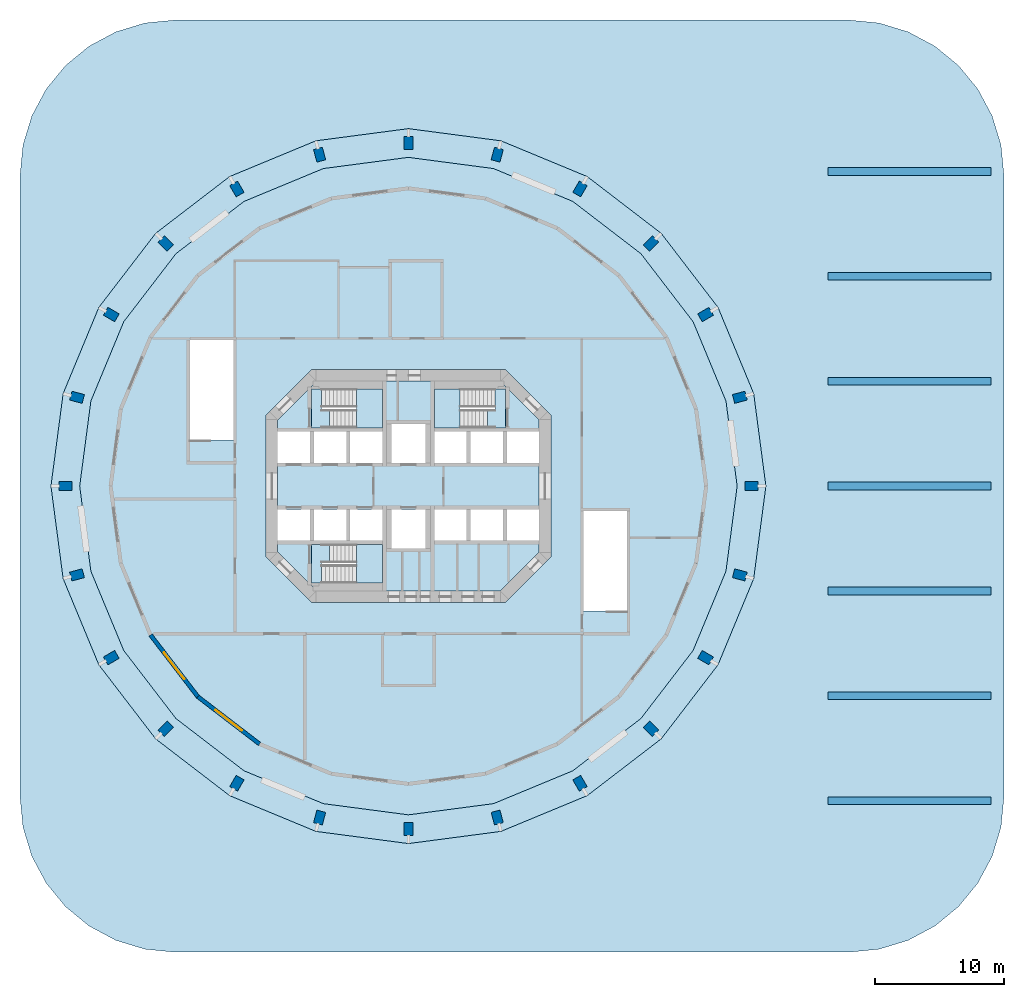
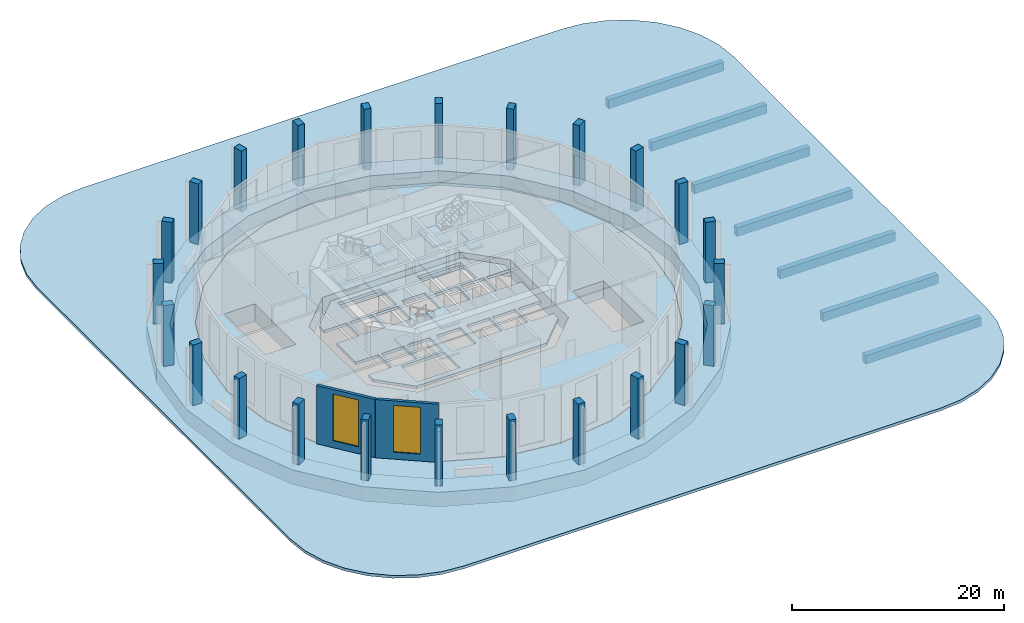
# One storey, part 1 of 7: 24 columns, 13 slabs, 7 beams, 2 walls, 2 windows, 2 openings, 3 elements without a shape of their own.
"""IFC4 building model written with IfcOpenShell, lengths in metres."""

from ifc_helpers import new_model, si_unit, direction, frame, frame_2d, origin, origin_2d, place, context, subcontext, project, spatial, polyline, rectangle, outline, extrude, material, layer, layer_set, material_profile, profile_set, type_object, element, fill, aggregate, save


model = new_model("IFC4")

# Units and contexts
model_context = context("Model", 3, precision=1e-05, world=origin(), true_north=direction((0.0, 1.0)))
body_context = subcontext(model_context, "Body", "Model", "MODEL_VIEW")
ifc_project = project(units=[si_unit("LENGTHUNIT", "METRE"), si_unit("AREAUNIT", "SQUARE_METRE"), si_unit("VOLUMEUNIT", "CUBIC_METRE"), si_unit("PLANEANGLEUNIT", "RADIAN"), si_unit("MASSUNIT", "GRAM", prefix="KILO")], contexts=[model_context])

# Site, building, storey
site_placement = place(None, origin())
site = spatial("IfcSite", under=ifc_project, at=site_placement, CompositionType="ELEMENT")
building_placement = place(site_placement, origin())
building = spatial("IfcBuilding", under=site, at=building_placement, Name="Torre Triforio", CompositionType="ELEMENT")
storey_placement = place(building_placement, frame((0.0, 0.0, 20.0)))
storey = spatial("IfcBuildingStorey", under=building, at=storey_placement, Name="L03", CompositionType="ELEMENT", Elevation=20.0)

# Columns
ifc_material_1 = material(Name="Concrete C70", Category="concrete")
ifc_material_profile_1 = material_profile(ifc_material_1, rectangle(XDim=0.699951171875, YDim=1.0, at=origin_2d()), Name="RC 700x1000")
ifc_profile_set_1 = profile_set([ifc_material_profile_1], Name="Concrete C70")
column_type = type_object("IfcColumnType", Name="Pier RC 700x1000 C70", PredefinedType="COLUMN", material=ifc_profile_set_1)
for number, where, z_axis, x_axis, name in (
    (1, (26.5, 0.0, -0.320068359375), (0.0, 0.0, 1.0), (0.0, 1.0, 0.0), "COL.R.L03.00"),
    (2, (25.596923828125, 6.858642578125, -0.320068359375), (0.0, 0.0, 1.0), (-0.258819045103, 0.965925826289, 0.0), "COL.R.L03.01"),
    (3, (22.94970703125, 13.25, -0.320068359375), (0.0, 0.0, 1.0), (-0.5, 0.866025403784, 0.0), "COL.R.L03.02"),
    (4, (18.73828125, 18.73828125, -0.320068359375), (0.0, 0.0, 1.0), (-0.707106781187, 0.707106781187, 0.0), "COL.R.L03.03"),
    (5, (13.25, 22.94970703125, -0.320068359375), (0.0, 0.0, 1.0), (-0.866025403784, 0.5, 0.0), "COL.R.L03.04"),
    (6, (6.858642578125, 25.596923828125, -0.320068359375), (0.0, 0.0, 1.0), (-0.965925826289, 0.258819045103, 0.0), "COL.R.L03.05"),
    (7, (0.0, 26.5, -0.320068359375), (0.0, 0.0, 1.0), (-1.0, 0.0, 0.0), "COL.R.L03.06"),
    (8, (-6.858642578125, 25.596923828125, -0.320068359375), (0.0, 0.0, 1.0), (-0.965925826289, -0.258819045103, 0.0), "COL.R.L03.07"),
    (9, (-13.25, 22.94970703125, -0.320068359375), (0.0, 0.0, 1.0), (-0.866025403784, -0.5, 0.0), "COL.R.L03.08"),
    (10, (-18.73828125, 18.73828125, -0.320068359375), (0.0, 0.0, 1.0), (-0.707106781187, -0.707106781187, 0.0), "COL.R.L03.09"),
    (11, (-22.94970703125, 13.25, -0.320068359375), (0.0, 0.0, 1.0), (-0.5, -0.866025403784, 0.0), "COL.R.L03.10"),
    (12, (-25.596923828125, 6.858642578125, -0.320068359375), (0.0, 0.0, 1.0), (-0.258819045103, -0.965925826289, 0.0), "COL.R.L03.11"),
    (13, (-26.5, 0.0, -0.320068359375), (0.0, 0.0, 1.0), (0.0, -1.0, 0.0), "COL.R.L03.12"),
    (14, (-25.596923828125, -6.858642578125, -0.320068359375), (0.0, 0.0, 1.0), (0.258819045103, -0.965925826289, 0.0), "COL.R.L03.13"),
    (15, (-22.94970703125, -13.25, -0.320068359375), (0.0, 0.0, 1.0), (0.5, -0.866025403784, 0.0), "COL.R.L03.14"),
    (16, (-18.73828125, -18.73828125, -0.320068359375), (0.0, 0.0, 1.0), (0.707106781187, -0.707106781187, 0.0), "COL.R.L03.15"),
    (17, (-13.25, -22.94970703125, -0.320068359375), (0.0, 0.0, 1.0), (0.866025403784, -0.5, 0.0), "COL.R.L03.16"),
    (18, (-6.858642578125, -25.596923828125, -0.320068359375), (0.0, 0.0, 1.0), (0.965925826289, -0.258819045103, 0.0), "COL.R.L03.17"),
    (19, (0.0, -26.5, -0.320068359375), (0.0, 0.0, 1.0), (1.0, 0.0, 0.0), "COL.R.L03.18"),
    (20, (6.858642578125, -25.596923828125, -0.320068359375), (0.0, 0.0, 1.0), (0.965925826289, 0.258819045103, 0.0), "COL.R.L03.19"),
    (21, (13.25, -22.94970703125, -0.320068359375), (0.0, 0.0, 1.0), (0.866025403784, 0.5, 0.0), "COL.R.L03.20"),
    (22, (18.73828125, -18.73828125, -0.320068359375), (0.0, 0.0, 1.0), (0.707106781187, 0.707106781187, 0.0), "COL.R.L03.21"),
    (23, (22.94970703125, -13.25, -0.320068359375), (0.0, 0.0, 1.0), (0.5, 0.866025403784, 0.0), "COL.R.L03.22"),
    (24, (25.596923828125, -6.858642578125, -0.320068359375), (0.0, 0.0, 1.0), (0.258819045103, 0.965925826289, 0.0), "COL.R.L03.23"),
):
    element("IfcColumn", number, at=place(storey_placement, frame(where, z_axis=z_axis, x_axis=x_axis)), inside=storey, type_object=column_type, Name=name, PredefinedType="COLUMN", context=body_context, shape_type="SweptSolid", body=[
        extrude(rectangle(XDim=0.699951171875, YDim=1.0, at=origin_2d()), origin(), (0.0, 0.0, 1.0), 7.320068359375),
    ])

# Beams
ifc_material_2 = material(Name="Concrete C50", Category="concrete")
ifc_material_profile_2 = material_profile(ifc_material_2, rectangle(XDim=0.60009765625, YDim=1.0, at=origin_2d()), Name="RC 600x1000")
ifc_profile_set_2 = profile_set([ifc_material_profile_2], Name="Concrete C50")
beam_type = type_object("IfcBeamType", Name="Studio roof girder RC 600x1000 C50", PredefinedType="BEAM", material=ifc_profile_set_2)
for number, where, z_axis, x_axis, name in (
    (25, (32.39990234375, -24.300048828125, -0.820068359375), (1.0, 0.0, 0.0), (0.0, 1.0, 0.0), "BM.SG.L03.01"),
    (26, (32.39990234375, -16.199951171875, -0.820068359375), (1.0, 0.0, 0.0), (0.0, 1.0, 0.0), "BM.SG.L03.02"),
    (27, (32.39990234375, -8.10009765625, -0.820068359375), (1.0, 0.0, 0.0), (0.0, 1.0, 0.0), "BM.SG.L03.03"),
    (28, (32.39990234375, 0.0, -0.820068359375), (1.0, 0.0, 0.0), (0.0, 1.0, 0.0), "BM.SG.L03.04"),
    (29, (32.39990234375, 8.10009765625, -0.820068359375), (1.0, 0.0, 0.0), (0.0, 1.0, 0.0), "BM.SG.L03.05"),
    (30, (32.39990234375, 16.199951171875, -0.820068359375), (1.0, 0.0, 0.0), (0.0, 1.0, 0.0), "BM.SG.L03.06"),
    (31, (32.39990234375, 24.300048828125, -0.820068359375), (1.0, 0.0, 0.0), (0.0, 1.0, 0.0), "BM.SG.L03.07"),
):
    element("IfcBeam", number, at=place(storey_placement, frame(where, z_axis=z_axis, x_axis=x_axis)), inside=storey, type_object=beam_type, Name=name, PredefinedType="BEAM", context=body_context, shape_type="SweptSolid", body=[
        extrude(rectangle(XDim=0.60009765625, YDim=1.0, at=origin_2d()), origin(), (0.0, 0.0, 1.0), 12.60009765625),
    ])

# Slab
ifc_material_3 = material(Name="Concrete C60", Category="concrete")
ifc_layer_1 = layer(ifc_material_3, 0.320068359375)
ifc_layer_set_1 = layer_set([ifc_layer_1], Name="Concrete C60")
slab_type_1 = type_object("IfcSlabType", Name="Core floor slab 320 mm C60 REI 120", PredefinedType="FLOOR", material=ifc_layer_set_1)
slab_1_placement = place(storey_placement, frame((0.0, 0.0, -0.320068359375)))
element("IfcSlab", 32, at=slab_1_placement, inside=storey, type_object=slab_type_1, Name="Core floor slab", PredefinedType="FLOOR", context=body_context, shape_type="SweptSolid", body=[
    extrude(outline(polyline([(10.10009765625, -5.10009765625), (7.10009765625, -8.10009765625), (-7.10009765625, -8.10009765625), (-10.10009765625, -5.10009765625), (-10.10009765625, -4.199951171875), (-7.60009765625, -4.199951171875), (-7.60009765625, -1.800048828125), (-10.10009765625, -1.800048828125), (-10.10009765625, 1.800048828125), (-7.60009765625, 1.800048828125), (-7.60009765625, 4.199951171875), (-10.10009765625, 4.199951171875), (-10.10009765625, 5.10009765625), (-7.10009765625, 8.10009765625), (7.10009765625, 8.10009765625), (10.10009765625, 5.10009765625), (10.10009765625, 4.199951171875), (7.60009765625, 4.199951171875), (7.60009765625, 1.800048828125), (10.10009765625, 1.800048828125), (10.10009765625, -1.800048828125), (7.60009765625, -1.800048828125), (7.60009765625, -4.199951171875), (10.10009765625, -4.199951171875), (10.10009765625, -5.10009765625)]), holes=[polyline([(-2.0, -4.5), (-6.696044921875, -4.5), (-6.696044921875, -7.5), (-2.0, -7.5), (-2.0, -4.5)]), polyline([(-4.800048828125, -1.800048828125), (-7.300048828125, -1.800048828125), (-7.300048828125, -4.199951171875), (-4.800048828125, -4.199951171875), (-4.800048828125, -1.800048828125)]), polyline([(-2.0, -1.800048828125), (-4.5, -1.800048828125), (-4.5, -4.199951171875), (-2.0, -4.199951171875), (-2.0, -1.800048828125)]), polyline([(-4.800048828125, 4.199951171875), (-7.300048828125, 4.199951171875), (-7.300048828125, 1.800048828125), (-4.800048828125, 1.800048828125), (-4.800048828125, 4.199951171875)]), polyline([(-2.0, 4.199951171875), (-4.5, 4.199951171875), (-4.5, 1.800048828125), (-2.0, 1.800048828125), (-2.0, 4.199951171875)]), polyline([(1.300048828125, 4.800048828125), (-1.300048828125, 4.800048828125), (-1.300048828125, 1.800048828125), (1.300048828125, 1.800048828125), (1.300048828125, 4.800048828125)]), polyline([(-2.0, 7.5), (-6.696044921875, 7.5), (-6.696044921875, 4.5), (-2.0, 4.5), (-2.0, 7.5)]), polyline([(1.300048828125, -1.800048828125), (-1.300048828125, -1.800048828125), (-1.300048828125, -4.800048828125), (1.300048828125, -4.800048828125), (1.300048828125, -1.800048828125)]), polyline([(4.5, -1.800048828125), (2.0, -1.800048828125), (2.0, -4.199951171875), (4.5, -4.199951171875), (4.5, -1.800048828125)]), polyline([(7.300048828125, -1.800048828125), (4.800048828125, -1.800048828125), (4.800048828125, -4.199951171875), (7.300048828125, -4.199951171875), (7.300048828125, -1.800048828125)]), polyline([(4.5, 4.199951171875), (2.0, 4.199951171875), (2.0, 1.800048828125), (4.5, 1.800048828125), (4.5, 4.199951171875)]), polyline([(7.300048828125, 4.199951171875), (4.800048828125, 4.199951171875), (4.800048828125, 1.800048828125), (7.300048828125, 1.800048828125), (7.300048828125, 4.199951171875)]), polyline([(6.696044921875, 4.5), (6.696044921875, 7.5), (2.0, 7.5), (2.0, 4.5), (6.696044921875, 4.5)])]), origin(), (0.0, 0.0, 1.0), 0.320068359375),
])

# Stair, slabs
ifc_material_4 = material(Name="Concrete C40", Category="concrete")
stair_type = type_object("IfcStairType", Name="STAIR DOUBLE RETURN", PredefinedType="DOUBLE_RETURN_STAIR", material=ifc_material_4)
stair_1_placement = place(storey_placement, origin())
stair_1 = element("IfcStair", 33, at=stair_1_placement, inside=storey, type_object=stair_type, Name="Exit stair 1", PredefinedType="DOUBLE_RETURN_STAIR")
ifc_layer_2 = layer(ifc_material_4, 0.199951171875)
ifc_layer_set_2 = layer_set([ifc_layer_2], Name="Concrete C40")
slab_type_2 = type_object("IfcSlabType", Name="STAIR LANDING 200", PredefinedType="LANDING", material=ifc_layer_set_2)
slab_2_placement = place(storey_placement, frame((0.0, 0.0, 1.550048828125)))
slab_2 = element("IfcSlab", 34, at=slab_2_placement, type_object=slab_type_2, Name="ST1 landing 1", PredefinedType="LANDING", context=body_context, shape_type="SweptSolid", body=[
    extrude(outline(polyline([(-2.0, 4.5), (-2.0, 7.5), (-4.0, 7.5), (-4.0, 4.5), (-2.0, 4.5)])), origin(), (0.0, 0.0, 1.0), 0.199951171875),
])
slab_3_placement = place(storey_placement, frame((0.0, 0.0, 3.300048828125)))
slab_3 = element("IfcSlab", 35, at=slab_3_placement, type_object=slab_type_2, Name="ST1 landing 2", PredefinedType="LANDING", context=body_context, shape_type="SweptSolid", body=[
    extrude(outline(polyline([(-6.10009765625, 5.89990234375), (-6.10009765625, 4.5), (-6.696044921875, 4.5), (-6.699951171875, 4.5), (-7.5, 4.5), (-7.5, 7.5), (-6.696044921875, 7.5), (-6.696044921875, 5.89990234375), (-6.10009765625, 5.89990234375)])), origin(), (0.0, 0.0, 1.0), 0.199951171875),
])
slab_4_placement = place(storey_placement, frame((0.0, 0.0, 5.050048828125)))
slab_4 = element("IfcSlab", 36, at=slab_4_placement, type_object=slab_type_2, Name="ST1 landing 3", PredefinedType="LANDING", context=body_context, shape_type="SweptSolid", body=[
    extrude(outline(polyline([(-2.0, 4.5), (-2.0, 7.5), (-4.0, 7.5), (-4.0, 4.5), (-2.0, 4.5)])), origin(), (0.0, 0.0, 1.0), 0.199951171875),
])
aggregate(stair_1, [slab_2, slab_3, slab_4])

stair_2_placement = place(storey_placement, origin())
stair_2 = element("IfcStair", 37, at=stair_2_placement, inside=storey, type_object=stair_type, Name="Exit stair 2", PredefinedType="DOUBLE_RETURN_STAIR")
slab_5_placement = place(storey_placement, frame((0.0, 0.0, 1.550048828125)))
slab_5 = element("IfcSlab", 38, at=slab_5_placement, type_object=slab_type_2, Name="ST2 landing 1", PredefinedType="LANDING", context=body_context, shape_type="SweptSolid", body=[
    extrude(outline(polyline([(4.0, 4.5), (4.0, 7.5), (2.0, 7.5), (2.0, 4.5), (4.0, 4.5)])), origin(), (0.0, 0.0, 1.0), 0.199951171875),
])
slab_6_placement = place(storey_placement, frame((0.0, 0.0, 3.300048828125)))
slab_6 = element("IfcSlab", 39, at=slab_6_placement, type_object=slab_type_2, Name="ST2 landing 2", PredefinedType="LANDING", context=body_context, shape_type="SweptSolid", body=[
    extrude(outline(polyline([(6.10009765625, 4.5), (6.10009765625, 5.89990234375), (6.696044921875, 5.89990234375), (6.696044921875, 7.5), (7.5, 7.5), (7.5, 4.5), (6.699951171875, 4.5), (6.696044921875, 4.5), (6.10009765625, 4.5)])), origin(), (0.0, 0.0, 1.0), 0.199951171875),
])
slab_7_placement = place(storey_placement, frame((0.0, 0.0, 5.050048828125)))
slab_7 = element("IfcSlab", 40, at=slab_7_placement, type_object=slab_type_2, Name="ST2 landing 3", PredefinedType="LANDING", context=body_context, shape_type="SweptSolid", body=[
    extrude(outline(polyline([(4.0, 4.5), (4.0, 7.5), (2.0, 7.5), (2.0, 4.5), (4.0, 4.5)])), origin(), (0.0, 0.0, 1.0), 0.199951171875),
])
aggregate(stair_2, [slab_5, slab_6, slab_7])

stair_3_placement = place(storey_placement, origin())
stair_3 = element("IfcStair", 41, at=stair_3_placement, inside=storey, type_object=stair_type, Name="Exit stair 3", PredefinedType="DOUBLE_RETURN_STAIR")
slab_8_placement = place(storey_placement, frame((0.0, 0.0, 1.550048828125)))
slab_8 = element("IfcSlab", 42, at=slab_8_placement, type_object=slab_type_2, Name="ST3 landing 1", PredefinedType="LANDING", context=body_context, shape_type="SweptSolid", body=[
    extrude(outline(polyline([(-2.0, -7.5), (-2.0, -4.5), (-4.0, -4.5), (-4.0, -7.5), (-2.0, -7.5)])), origin(), (0.0, 0.0, 1.0), 0.199951171875),
])
slab_9_placement = place(storey_placement, frame((0.0, 0.0, 3.300048828125)))
slab_9 = element("IfcSlab", 43, at=slab_9_placement, type_object=slab_type_2, Name="ST3 landing 2", PredefinedType="LANDING", context=body_context, shape_type="SweptSolid", body=[
    extrude(outline(polyline([(-6.696044921875, -7.5), (-7.5, -7.5), (-7.5, -4.5), (-6.699951171875, -4.5), (-6.696044921875, -4.5), (-6.10009765625, -4.5), (-6.10009765625, -5.89990234375), (-6.696044921875, -5.89990234375), (-6.696044921875, -7.5)])), origin(), (0.0, 0.0, 1.0), 0.199951171875),
])
slab_10_placement = place(storey_placement, frame((0.0, 0.0, 5.050048828125)))
slab_10 = element("IfcSlab", 44, at=slab_10_placement, type_object=slab_type_2, Name="ST3 landing 3", PredefinedType="LANDING", context=body_context, shape_type="SweptSolid", body=[
    extrude(outline(polyline([(-2.0, -7.5), (-2.0, -4.5), (-4.0, -4.5), (-4.0, -7.5), (-2.0, -7.5)])), origin(), (0.0, 0.0, 1.0), 0.199951171875),
])
aggregate(stair_3, [slab_8, slab_9, slab_10])

# Slabs
ifc_layer_3 = layer(ifc_material_2, 0.320068359375)
ifc_layer_set_3 = layer_set([ifc_layer_3], Name="Concrete C50")
slab_type_3 = type_object("IfcSlabType", Name="Terrace slab 320 C50", PredefinedType="FLOOR", material=ifc_layer_set_3)
slab_11_placement = place(storey_placement, frame((0.0, 0.0, -0.320068359375)))
element("IfcSlab", 45, at=slab_11_placement, inside=storey, type_object=slab_type_3, Name="SL.T3", PredefinedType="FLOOR", context=body_context, shape_type="SweptSolid", body=[
    extrude(outline(polyline([(-22.59228515625, -35.086669921875), (-20.341064453125, -35.76953125), (-18.0, -36.0), (34.0, -36.0), (36.341064453125, -35.76953125), (38.59228515625, -35.086669921875), (40.666748046875, -33.9775390625), (42.4853515625, -32.4853515625), (43.9775390625, -30.666748046875), (45.086669921875, -28.59228515625), (45.76953125, -26.341064453125), (46.0, -24.0), (46.0, 24.0), (45.76953125, 26.341064453125), (45.086669921875, 28.59228515625), (43.9775390625, 30.666748046875), (42.4853515625, 32.4853515625), (40.666748046875, 33.9775390625), (38.59228515625, 35.086669921875), (36.341064453125, 35.76953125), (34.0, 36.0), (-18.0, 36.0), (-20.341064453125, 35.76953125), (-22.59228515625, 35.086669921875), (-24.666748046875, 33.9775390625), (-26.4853515625, 32.4853515625), (-27.9775390625, 30.666748046875), (-29.086669921875, 28.59228515625), (-29.76953125, 26.341064453125), (-30.0, 24.0), (-30.0, -24.0), (-29.76953125, -26.341064453125), (-29.086669921875, -28.59228515625), (-27.9775390625, -30.666748046875), (-26.4853515625, -32.4853515625), (-24.666748046875, -33.9775390625), (-22.59228515625, -35.086669921875)]), holes=[polyline([(16.263427734375, 16.263427734375), (19.918701171875, 11.5), (22.21630859375, 5.952880859375), (23.0, 0.0), (22.21630859375, -5.952880859375), (19.918701171875, -11.5), (16.263427734375, -16.263427734375), (11.5, -19.918701171875), (5.952880859375, -22.21630859375), (0.0, -23.0), (-5.952880859375, -22.21630859375), (-11.5, -19.918701171875), (-16.263427734375, -16.263427734375), (-19.918701171875, -11.5), (-22.21630859375, -5.952880859375), (-23.0, 0.0), (-22.21630859375, 5.952880859375), (-19.918701171875, 11.5), (-16.263427734375, 16.263427734375), (-11.5, 19.918701171875), (-5.952880859375, 22.21630859375), (0.0, 23.0), (5.952880859375, 22.21630859375), (11.5, 19.918701171875), (16.263427734375, 16.263427734375)]), polyline([(-6.39111328125, -25.20458984375), (-6.650146484375, -26.170654296875), (-7.326171875, -25.989501953125), (-7.0673828125, -25.0234375), (-6.39111328125, -25.20458984375)]), polyline([(-13.19677734375, -23.5576171875), (-13.80322265625, -23.207763671875), (-13.30322265625, -22.341552734375), (-12.69677734375, -22.691650390625), (-13.19677734375, -23.5576171875)]), polyline([(-18.844482421875, -19.33935546875), (-19.33935546875, -18.844482421875), (-18.63232421875, -18.13720703125), (-18.13720703125, -18.63232421875), (-18.844482421875, -19.33935546875)]), polyline([(-22.341552734375, -13.30322265625), (-23.207763671875, -13.80322265625), (-23.5576171875, -13.19677734375), (-22.691650390625, -12.69677734375), (-22.341552734375, -13.30322265625)]), polyline([(-25.989501953125, -7.326171875), (-26.170654296875, -6.650146484375), (-25.20458984375, -6.39111328125), (-25.0234375, -7.0673828125), (-25.989501953125, -7.326171875)]), polyline([(-27.0, -0.35009765625), (-27.0, 0.35009765625), (-26.0, 0.35009765625), (-26.0, -0.35009765625), (-27.0, -0.35009765625)]), polyline([(-25.20458984375, 6.39111328125), (-26.170654296875, 6.650146484375), (-25.989501953125, 7.326171875), (-25.0234375, 7.0673828125), (-25.20458984375, 6.39111328125)]), polyline([(-23.5576171875, 13.19677734375), (-23.207763671875, 13.80322265625), (-22.341552734375, 13.30322265625), (-22.691650390625, 12.69677734375), (-23.5576171875, 13.19677734375)]), polyline([(-19.33935546875, 18.844482421875), (-18.844482421875, 19.33935546875), (-18.13720703125, 18.63232421875), (-18.63232421875, 18.13720703125), (-19.33935546875, 18.844482421875)]), polyline([(-13.30322265625, 22.341552734375), (-13.80322265625, 23.207763671875), (-13.19677734375, 23.5576171875), (-12.69677734375, 22.691650390625), (-13.30322265625, 22.341552734375)]), polyline([(-7.326171875, 25.989501953125), (-6.650146484375, 26.170654296875), (-6.39111328125, 25.20458984375), (-7.0673828125, 25.0234375), (-7.326171875, 25.989501953125)]), polyline([(-0.35009765625, 27.0), (0.35009765625, 27.0), (0.35009765625, 26.0), (-0.35009765625, 26.0), (-0.35009765625, 27.0)]), polyline([(0.35009765625, -26.0), (0.35009765625, -27.0), (-0.35009765625, -27.0), (-0.35009765625, -26.0), (0.35009765625, -26.0)]), polyline([(7.326171875, -25.989501953125), (6.650146484375, -26.170654296875), (6.39111328125, -25.20458984375), (7.0673828125, -25.0234375), (7.326171875, -25.989501953125)]), polyline([(13.80322265625, -23.207763671875), (13.19677734375, -23.5576171875), (12.69677734375, -22.691650390625), (13.30322265625, -22.341552734375), (13.80322265625, -23.207763671875)]), polyline([(18.63232421875, -18.13720703125), (19.33935546875, -18.844482421875), (18.844482421875, -19.33935546875), (18.13720703125, -18.63232421875), (18.63232421875, -18.13720703125)]), polyline([(23.5576171875, -13.19677734375), (23.207763671875, -13.80322265625), (22.341552734375, -13.30322265625), (22.691650390625, -12.69677734375), (23.5576171875, -13.19677734375)]), polyline([(26.170654296875, -6.650146484375), (25.989501953125, -7.326171875), (25.0234375, -7.0673828125), (25.20458984375, -6.39111328125), (26.170654296875, -6.650146484375)]), polyline([(26.0, 0.35009765625), (27.0, 0.35009765625), (27.0, -0.35009765625), (26.0, -0.35009765625), (26.0, 0.35009765625)]), polyline([(25.989501953125, 7.326171875), (26.170654296875, 6.650146484375), (25.20458984375, 6.39111328125), (25.0234375, 7.0673828125), (25.989501953125, 7.326171875)]), polyline([(23.207763671875, 13.80322265625), (23.5576171875, 13.19677734375), (22.691650390625, 12.69677734375), (22.341552734375, 13.30322265625), (23.207763671875, 13.80322265625)]), polyline([(18.13720703125, 18.63232421875), (18.844482421875, 19.33935546875), (19.33935546875, 18.844482421875), (18.63232421875, 18.13720703125), (18.13720703125, 18.63232421875)]), polyline([(13.19677734375, 23.5576171875), (13.80322265625, 23.207763671875), (13.30322265625, 22.341552734375), (12.69677734375, 22.691650390625), (13.19677734375, 23.5576171875)]), polyline([(6.650146484375, 26.170654296875), (7.326171875, 25.989501953125), (7.0673828125, 25.0234375), (6.39111328125, 25.20458984375), (6.650146484375, 26.170654296875)])]), origin(), (0.0, 0.0, 1.0), 0.320068359375),
])
ifc_layer_4 = layer(ifc_material_1, 1.679931640625)
ifc_layer_set_4 = layer_set([ifc_layer_4], Name="Concrete C70")
slab_type_4 = type_object("IfcSlabType", Name="Transfer slab 1680 C70", PredefinedType="FLOOR", material=ifc_layer_set_4)
slab_12_placement = place(storey_placement, frame((0.0, 0.0, -2.0)))
element("IfcSlab", 46, at=slab_12_placement, inside=storey, type_object=slab_type_4, Name="SL.L03.BAND", PredefinedType="FLOOR", context=body_context, shape_type="SweptSolid", body=[
    extrude(outline(polyline([(23.910400390625, -13.8046875), (26.668701171875, -7.145751953125), (27.609375, 0.0), (26.668701171875, 7.145751953125), (23.910400390625, 13.8046875), (19.52294921875, 19.52294921875), (13.8046875, 23.910400390625), (7.145751953125, 26.668701171875), (0.0, 27.609375), (-7.145751953125, 26.668701171875), (-13.8046875, 23.910400390625), (-19.52294921875, 19.52294921875), (-23.910400390625, 13.8046875), (-26.668701171875, 7.145751953125), (-27.609375, 0.0), (-26.668701171875, -7.145751953125), (-23.910400390625, -13.8046875), (-19.52294921875, -19.52294921875), (-13.8046875, -23.910400390625), (-7.145751953125, -26.668701171875), (0.0, -27.609375), (7.145751953125, -26.668701171875), (13.8046875, -23.910400390625), (19.52294921875, -19.52294921875), (23.910400390625, -13.8046875)]), holes=[polyline([(21.98876953125, 12.6953125), (24.525390625, 6.571533203125), (25.390625, 0.0), (24.525390625, -6.571533203125), (21.98876953125, -12.6953125), (17.953857421875, -17.953857421875), (12.6953125, -21.98876953125), (6.571533203125, -24.525390625), (0.0, -25.390625), (-6.571533203125, -24.525390625), (-12.6953125, -21.98876953125), (-17.953857421875, -17.953857421875), (-21.98876953125, -12.6953125), (-24.525390625, -6.571533203125), (-25.390625, 0.0), (-24.525390625, 6.571533203125), (-21.98876953125, 12.6953125), (-17.953857421875, 17.953857421875), (-12.6953125, 21.98876953125), (-6.571533203125, 24.525390625), (0.0, 25.390625), (6.571533203125, 24.525390625), (12.6953125, 21.98876953125), (17.953857421875, 17.953857421875), (21.98876953125, 12.6953125)])]), origin(), (0.0, 0.0, 1.0), 1.679931640625),
])
ifc_layer_5 = layer(ifc_material_1, 2.0)
ifc_layer_set_5 = layer_set([ifc_layer_5], Name="Concrete C70")
slab_type_5 = type_object("IfcSlabType", Name="Transfer slab 2000 C70", PredefinedType="FLOOR", material=ifc_layer_set_5)
slab_13_placement = place(storey_placement, frame((0.0, 0.0, -2.0)))
element("IfcSlab", 47, at=slab_13_placement, inside=storey, type_object=slab_type_5, Name="SL.L03", PredefinedType="FLOOR", context=body_context, shape_type="SweptSolid", body=[
    extrude(outline(polyline([(19.918701171875, -11.5), (22.21630859375, -5.952880859375), (23.0, 0.0), (22.21630859375, 5.952880859375), (19.918701171875, 11.5), (16.263427734375, 16.263427734375), (11.5, 19.918701171875), (5.952880859375, 22.21630859375), (0.0, 23.0), (-5.952880859375, 22.21630859375), (-11.5, 19.918701171875), (-16.263427734375, 16.263427734375), (-19.918701171875, 11.5), (-22.21630859375, 5.952880859375), (-23.0, 0.0), (-22.21630859375, -5.952880859375), (-19.918701171875, -11.5), (-16.263427734375, -16.263427734375), (-11.5, -19.918701171875), (-5.952880859375, -22.21630859375), (0.0, -23.0), (5.952880859375, -22.21630859375), (11.5, -19.918701171875), (16.263427734375, -16.263427734375), (19.918701171875, -11.5)]), holes=[polyline([(7.472900390625, 9.0), (11.0, 5.472900390625), (11.0, -5.472900390625), (7.472900390625, -9.0), (-7.472900390625, -9.0), (-11.0, -5.472900390625), (-11.0, 5.472900390625), (-7.472900390625, 9.0), (7.472900390625, 9.0)]), polyline([(13.52490234375, -9.64501953125), (13.52490234375, -1.925048828125), (16.875, -1.925048828125), (16.875, -9.64501953125), (13.52490234375, -9.64501953125)]), polyline([(-16.875, 3.554931640625), (-16.875, 11.27490234375), (-13.52490234375, 11.27490234375), (-13.52490234375, 3.554931640625), (-16.875, 3.554931640625)])]), origin(), (0.0, 0.0, 1.0), 2.0),
])

# Wall, opening, window
ifc_material_5 = material(Name="Limestone cladding", Category="masonry")
ifc_layer_6 = layer(ifc_material_5, 0.10009765625)
ifc_layer_7 = layer(ifc_material_4, 0.199951171875)
ifc_layer_set_6 = layer_set([ifc_layer_6, ifc_layer_7], Name="Limestone cladding / Concrete C40")
wall_type = type_object("IfcWallType", Name="Stone-faced composite wall 300", PredefinedType="STANDARD", material=ifc_layer_set_6)
wall_1_placement = place(storey_placement, frame((-19.918701171875, -11.5, 0.0), z_axis=(0.0, 0.0, 1.0), x_axis=(0.608778912074, -0.793339924758, 0.0)))
wall_1 = element("IfcWall", 48, at=wall_1_placement, inside=storey, type_object=wall_type, Name="External wall L03 bay 15", PredefinedType="STANDARD", context=body_context, shape_type="SweptSolid", body=[
    extrude(rectangle(XDim=6.004150390625, YDim=0.300048828125, at=frame_2d((3.001953125, 0.0))), origin(), (0.0, 0.0, 1.0), 6.719970703125),
])
opening_1_placement = place(wall_1_placement, frame((1.7021484375, 0.0, 0.800048828125)))
opening_1 = element("IfcOpeningElement", 49, at=opening_1_placement, cuts=wall_1, Name="Opening P3-W15", PredefinedType="OPENING", context=body_context, shape_type="SweptSolid", body=[
    extrude(rectangle(XDim=2.60009765625, YDim=5.39990234375, at=frame_2d((1.300048828125, 2.699951171875))), frame((0.0, 0.159912109375, 0.0), z_axis=(0.0, -1.0, 0.0), x_axis=(1.0, 0.0, 0.0)), (0.0, 0.0, 1.0), 0.320068359375),
])
ifc_material_6 = material(Name="Aluminium frame with clear double glazing", Category="aluminium")
window_type = type_object("IfcWindowType", Name="Punched window 2600 x 5400", PartitioningType="DOUBLE_PANEL_VERTICAL", PredefinedType="WINDOW", material=ifc_material_6)
window_1_placement = place(opening_1_placement, origin())
window_1 = element("IfcWindow", 50, at=window_1_placement, inside=storey, type_object=window_type, Name="Window EWN1 L03 bay 15", OverallHeight=5.39990234375, OverallWidth=2.60009765625, PartitioningType="SINGLE_PANEL", PredefinedType="WINDOW", context=body_context, shape_type="SweptSolid", body=[
    extrude(rectangle(XDim=2.60009765625, YDim=5.39990234375, at=frame_2d((1.300048828125, 2.699951171875))), frame((0.0, 0.030029296875, 0.0), z_axis=(0.0, -1.0, 0.0), x_axis=(1.0, 0.0, 0.0)), (0.0, 0.0, 1.0), 0.06005859375),
])
fill(opening_1, window_1)

wall_2_placement = place(storey_placement, frame((-16.263427734375, -16.263427734375, 0.0), z_axis=(0.0, 0.0, 1.0), x_axis=(0.793339924758, -0.608778912074, 0.0)))
wall_2 = element("IfcWall", 51, at=wall_2_placement, inside=storey, type_object=wall_type, Name="External wall L03 bay 16", PredefinedType="STANDARD", context=body_context, shape_type="SweptSolid", body=[
    extrude(rectangle(XDim=6.004150390625, YDim=0.300048828125, at=frame_2d((3.001953125, 0.0))), origin(), (0.0, 0.0, 1.0), 6.719970703125),
])
opening_2_placement = place(wall_2_placement, frame((1.7021484375, 0.0, 0.800048828125)))
opening_2 = element("IfcOpeningElement", 52, at=opening_2_placement, cuts=wall_2, Name="Opening P3-W16", PredefinedType="OPENING", context=body_context, shape_type="SweptSolid", body=[
    extrude(rectangle(XDim=2.60009765625, YDim=5.39990234375, at=frame_2d((1.300048828125, 2.699951171875))), frame((0.0, 0.159912109375, 0.0), z_axis=(0.0, -1.0, 0.0), x_axis=(1.0, 0.0, 0.0)), (0.0, 0.0, 1.0), 0.320068359375),
])
window_2_placement = place(opening_2_placement, origin())
window_2 = element("IfcWindow", 53, at=window_2_placement, inside=storey, type_object=window_type, Name="Window EWN1 L03 bay 16", OverallHeight=5.39990234375, OverallWidth=2.60009765625, PartitioningType="SINGLE_PANEL", PredefinedType="WINDOW", context=body_context, shape_type="SweptSolid", body=[
    extrude(rectangle(XDim=2.60009765625, YDim=5.39990234375, at=frame_2d((1.300048828125, 2.699951171875))), frame((0.0, 0.030029296875, 0.0), z_axis=(0.0, -1.0, 0.0), x_axis=(1.0, 0.0, 0.0)), (0.0, 0.0, 1.0), 0.06005859375),
])
fill(opening_2, window_2)

save(model, "model.ifc")
